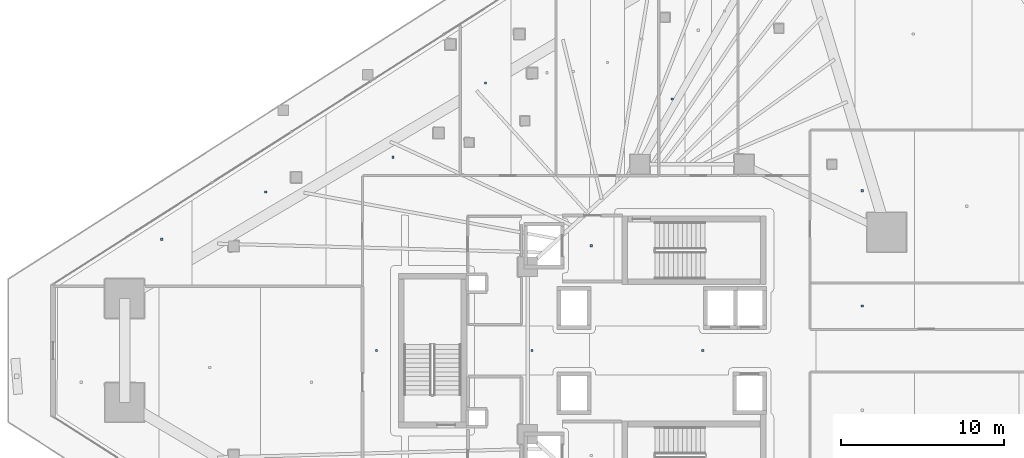
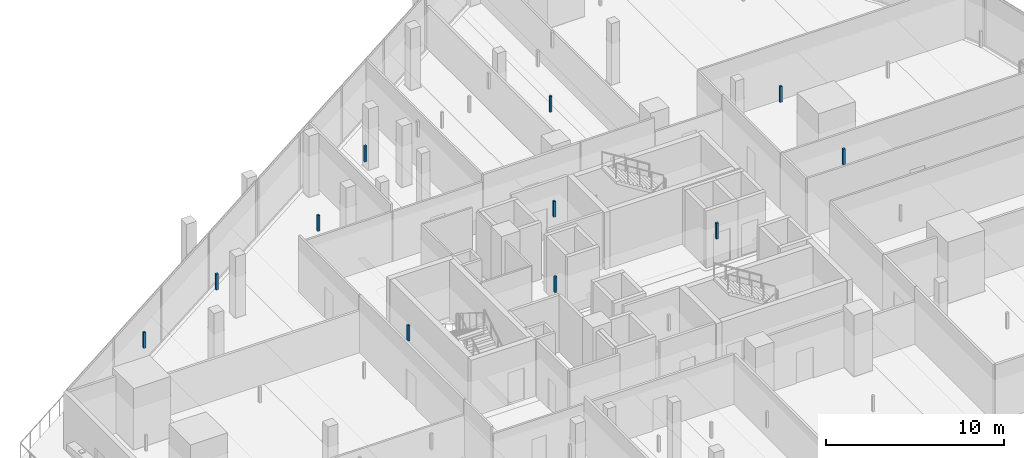
# One storey, part 33 of 44: 11 discrete accessories.
"""IFC4 building model written with IfcOpenShell, lengths in metres."""

import ifcopenshell
import ifcopenshell.guid

model = None  # the IFC model being written
_history = None  # IfcOwnerHistory: only IFC2X3 demands one
_inside = {}  # id of a spatial element -> (the spatial element, [elements in it])
_under = {}  # id of a project, library or spatial element -> (it, [spatial elements below it])
_declared = {}  # id of a project -> (the project, [libraries it declares])
_typed = {}  # id of a type object -> (the type object, [elements of that type])
_made_of = {}  # id of a material, layer set ... -> (it, [elements and type objects made of it])


def new_model(schema):
    """Start an empty IFC model of exactly this schema.

    Asked for "IFC4X3", IfcOpenShell would pick the latest addendum, in which some entities
    have other attributes; the version numbers below select the first issue.
    IFC2X3 requires an IfcOwnerHistory on every rooted entity: one is made here for all.
    """
    global model, _history
    if schema == "IFC4X3":
        model = ifcopenshell.file(schema_version=(4, 3, 0, 0))
    else:
        model = ifcopenshell.file(schema=schema)
    _inside.clear()
    _under.clear()
    _declared.clear()
    _typed.clear()
    _made_of.clear()
    _history = None
    if model.schema == "IFC2X3":
        org = make("IfcOrganization", Name="unknown")
        user = make(
            "IfcPersonAndOrganization",
            ThePerson=make("IfcPerson", FamilyName="unknown"),
            TheOrganization=org,
        )
        app = make(
            "IfcApplication",
            ApplicationDeveloper=org,
            Version="unknown",
            ApplicationFullName="unknown",
            ApplicationIdentifier="unknown",
        )
        _history = make(
            "IfcOwnerHistory",
            OwningUser=user,
            OwningApplication=app,
            ChangeAction="ADDED",
            CreationDate=0,
        )
    return model


def make(cls, **values):
    """One entity of the class cls with the attributes given. An attribute that is None is left unset."""
    return model.create_entity(
        cls, **{name: value for name, value in values.items() if value is not None}
    )


def rooted(cls, **values):
    """An entity with a GlobalId (a new one), such as an element, a storey or a relation."""
    return make(cls, GlobalId=ifcopenshell.guid.new(), OwnerHistory=_history, **values)


def si_unit(unit_type, name, prefix=None):
    """IfcSIUnit, for example si_unit("LENGTHUNIT", "METRE", prefix="MILLI")."""
    return make("IfcSIUnit", UnitType=unit_type, Prefix=prefix, Name=name)


def assignment(units):
    """IfcUnitAssignment: the units of a project."""
    return None if units is None else make("IfcUnitAssignment", Units=units)


def point(xyz):
    """IfcCartesianPoint."""
    return None if xyz is None else make("IfcCartesianPoint", Coordinates=xyz)


def direction(xyz):
    """IfcDirection."""
    return None if xyz is None else make("IfcDirection", DirectionRatios=xyz)


def frame(location, z_axis=None, x_axis=None):
    """IfcAxis2Placement3D, a coordinate frame: its origin and axes. An axis left out is left unset."""
    return make(
        "IfcAxis2Placement3D",
        Location=point(location),
        Axis=direction(z_axis),
        RefDirection=direction(x_axis),
    )


def frame_2d(location, x_axis=None):
    """IfcAxis2Placement2D, a coordinate frame in the plane: its origin and x axis."""
    return make(
        "IfcAxis2Placement2D", Location=point(location), RefDirection=direction(x_axis)
    )


def origin():
    """The frame at (0, 0, 0) with its axes left unset."""
    return frame((0.0, 0.0, 0.0))


def origin_2d():
    """The frame at (0, 0) in the plane with its x axis left unset."""
    return frame_2d((0.0, 0.0))


def place(relative_to, where):
    """IfcLocalPlacement: puts the frame where relative to a parent placement (None: the world)."""
    return make(
        "IfcLocalPlacement", PlacementRelTo=relative_to, RelativePlacement=where
    )


def context(
    kind, dimensions, precision=None, world=None, true_north=None, identifier=None
):
    """IfcGeometricRepresentationContext, for example the 3D "Model" context."""
    return make(
        "IfcGeometricRepresentationContext",
        ContextIdentifier=identifier,
        ContextType=kind,
        CoordinateSpaceDimension=dimensions,
        Precision=precision,
        WorldCoordinateSystem=world,
        TrueNorth=true_north,
    )


def subcontext(parent, identifier, kind, view, scale=None):
    """IfcGeometricRepresentationSubContext, for example "Body" below "Model"."""
    return make(
        "IfcGeometricRepresentationSubContext",
        ContextIdentifier=identifier,
        ContextType=kind,
        ParentContext=parent,
        TargetScale=scale,
        TargetView=view,
    )


def project(units=None, contexts=None):
    """IfcProject with its units and contexts."""
    return rooted(
        "IfcProject",
        Name="project",
        RepresentationContexts=contexts,
        UnitsInContext=assignment(units),
    )


def spatial(cls, under=None, at=None, **own):
    """A site, building, storey or space (cls), placed at a placement, below another one or the project."""
    s = rooted(cls, ObjectPlacement=at, **own)
    if under is not None:
        _under.setdefault(under.id(), (under, []))[1].append(s)
    return s


def profile(cls, at=None, kind="AREA", **sizes):
    """A parametric profile (cls). Its sizes go by their IFC names, for example OverallWidth=200.0."""
    return make(cls, ProfileType=kind, Position=at, **sizes)


def rectangle(**sizes):
    """IfcRectangleProfileDef."""
    return profile("IfcRectangleProfileDef", **sizes)


def extrude(swept, where, along, depth):
    """IfcExtrudedAreaSolid: the profile swept, set in the frame where, extruded along a direction by depth."""
    return make(
        "IfcExtrudedAreaSolid",
        SweptArea=swept,
        Position=where,
        ExtrudedDirection=direction(along),
        Depth=depth,
    )


def shape(context_of_items, identifier, shape_type, items):
    """IfcShapeRepresentation: the items that make up one representation, for example the "Body"."""
    return make(
        "IfcShapeRepresentation",
        ContextOfItems=context_of_items,
        RepresentationIdentifier=identifier,
        RepresentationType=shape_type,
        Items=items,
    )


def material(Name=None, Category=None):
    """IfcMaterial."""
    return make("IfcMaterial", Name=Name, Category=Category)


def made_of(thing, what):
    """Note that an element or type object is made of a material, layer set ...; save() writes the relation."""
    if what is not None:
        _made_of.setdefault(what.id(), (what, []))[1].append(thing)
    return thing


def type_object(cls, material=None, **own):
    """A type object (cls), such as IfcWallType, which elements share."""
    return made_of(rooted(cls, **own), material)


def element(
    cls,
    number,
    at=None,
    inside=None,
    cuts=None,
    type_object=None,
    material=None,
    context=None,
    identifier="Body",
    shape_type=None,
    held_by="IfcProductDefinitionShape",
    body=None,
    shapes=None,
    **own,
):
    """One element of the class cls, such as IfcWall. Its Tag is "e" and its number.

    at: its placement. inside: the storey or other place that contains it. cuts: it is an
    opening in that element (IfcRelVoidsElement). A single representation is given by context,
    identifier, shape_type and body (its items); several are given by shapes. held_by: the class
    of the entity that holds the representations. save() writes the other relations.
    """
    e = rooted(cls, Tag="e%d" % number, ObjectPlacement=at, **own)
    if body is not None:
        shapes = [shape(context, identifier, shape_type, body)]
    if shapes is not None:
        e.Representation = make(held_by, Representations=shapes)
    if inside is not None:
        _inside.setdefault(inside.id(), (inside, []))[1].append(e)
    if cuts is not None:
        rooted(
            "IfcRelVoidsElement", RelatingBuildingElement=cuts, RelatedOpeningElement=e
        )
    if type_object is not None:
        _typed.setdefault(type_object.id(), (type_object, []))[1].append(e)
    return made_of(e, material)


def aggregate(whole, parts):
    """IfcRelAggregates: a whole, such as a stair, and the parts it consists of."""
    return rooted("IfcRelAggregates", RelatingObject=whole, RelatedObjects=parts)


def save(model, path):
    """Write the relations noted so far, then the file.

    IfcRelAggregates (storeys below a building ...), IfcRelContainedInSpatialStructure (elements
    in a storey), IfcRelDefinesByType, IfcRelAssociatesMaterial and IfcRelDeclares: one each for
    every whole, place, type object, material and project.
    """
    for whole, parts in _under.values():
        aggregate(whole, parts)
    for where, things in _inside.values():
        rooted(
            "IfcRelContainedInSpatialStructure",
            RelatedElements=things,
            RelatingStructure=where,
        )
    for kind, things in _typed.values():
        rooted("IfcRelDefinesByType", RelatedObjects=things, RelatingType=kind)
    for what, things in _made_of.values():
        rooted("IfcRelAssociatesMaterial", RelatedObjects=things, RelatingMaterial=what)
    for by, libraries in _declared.values():
        rooted("IfcRelDeclares", RelatingContext=by, RelatedDefinitions=libraries)
    model.write(path)


model = new_model("IFC4")

# Units and contexts
model_context = context("Model", 3, precision=1e-05, world=origin(), true_north=direction((0.0, 1.0)))
body_context = subcontext(model_context, "Body", "Model", "MODEL_VIEW")
ifc_project = project(units=[si_unit("LENGTHUNIT", "METRE"), si_unit("AREAUNIT", "SQUARE_METRE"), si_unit("VOLUMEUNIT", "CUBIC_METRE"), si_unit("PLANEANGLEUNIT", "RADIAN"), si_unit("MASSUNIT", "GRAM", prefix="KILO")], contexts=[model_context])

# Site, building, storey
site_placement = place(None, origin())
site = spatial("IfcSite", under=ifc_project, at=site_placement, CompositionType="ELEMENT")
building_placement = place(site_placement, origin())
building = spatial("IfcBuilding", under=site, at=building_placement, Name="Qorvath Tower", CompositionType="ELEMENT")
storey_placement = place(building_placement, frame((0.0, 0.0, 70.199951171875)))
storey = spatial("IfcBuildingStorey", under=building, at=storey_placement, Name="L15", CompositionType="ELEMENT", Elevation=70.199951171875)

# Discrete accessories
ifc_material = material(Name="Galvanised steel bracket", Category="steel")
discrete_accessory_type = type_object("IfcDiscreteAccessoryType", Name="DA-BRACKET", PredefinedType="BRACKET", material=ifc_material)
for number, where, z_axis, x_axis, name in (
    (1, (-26.590087890625, 6.449951171875, 2.85986328125), (0.0, 0.0, 1.0), (1.0, 0.0, 0.0), "Acoustic Ceiling Suspension Hanger T1-L15-001"),
    (2, (-39.797607421875, 0.0, 2.85986328125), (0.0, 0.0, 1.0), (1.0, 0.0, 0.0), "Acoustic Ceiling Suspension Hanger T1-L15-005"),
    (3, (-30.236328125, 0.0, 2.85986328125), (0.0, 0.0, 1.0), (1.0, 0.0, 0.0), "Acoustic Ceiling Suspension Hanger T1-L15-006"),
    (4, (-19.74609375, 0.0, 2.85986328125), (0.0, 0.0, 1.0), (1.0, 0.0, 0.0), "Acoustic Ceiling Suspension Hanger T1-L15-007"),
    (5, (-33.0927734375, 16.45166015625, 2.85986328125), (0.0, 0.0, 1.0), (1.0, 0.0, 0.0), "Acoustic Ceiling Suspension Hanger T1-L15-008"),
    (6, (-21.621337890625, 15.47021484375, 2.85986328125), (0.0, 0.0, 1.0), (1.0, 0.0, 0.0), "Acoustic Ceiling Suspension Hanger T1-L15-013"),
    (7, (-9.92724609375, 2.737060546875, 2.85986328125), (0.0, 0.0, 1.0), (1.0, 0.0, 0.0), "Acoustic Ceiling Suspension Hanger T1-L15-029"),
    (8, (-9.92724609375, 9.82568359375, 2.85986328125), (0.0, 0.0, 1.0), (1.0, 0.0, 0.0), "Acoustic Ceiling Suspension Hanger T1-L15-031"),
    (9, (-53.008056640625, 6.844482421875, 2.85986328125), (0.0, 0.0, 1.0), (1.0, 0.0, 0.0), "Acoustic Ceiling Suspension Hanger T1-L15-040"),
    (10, (-46.615478515625, 9.750732421875, 2.85986328125), (0.0, 0.0, 1.0), (1.0, 0.0, 0.0), "Acoustic Ceiling Suspension Hanger T1-L15-041"),
    (11, (-38.78173828125, 11.88818359375, 2.85986328125), (0.0, 0.0, 1.0), (1.0, 0.0, 0.0), "Acoustic Ceiling Suspension Hanger T1-L15-042"),
):
    element("IfcDiscreteAccessory", number, at=place(storey_placement, frame(where, z_axis=z_axis, x_axis=x_axis)), inside=storey, type_object=discrete_accessory_type, Name=name, PredefinedType="NOTDEFINED", context=body_context, shape_type="SweptSolid", body=[
        extrude(rectangle(XDim=0.139892578125, YDim=0.139892578125, at=origin_2d()), origin(), (0.0, 0.0, 1.0), 1.090087890625),
    ])

save(model, "model.ifc")
